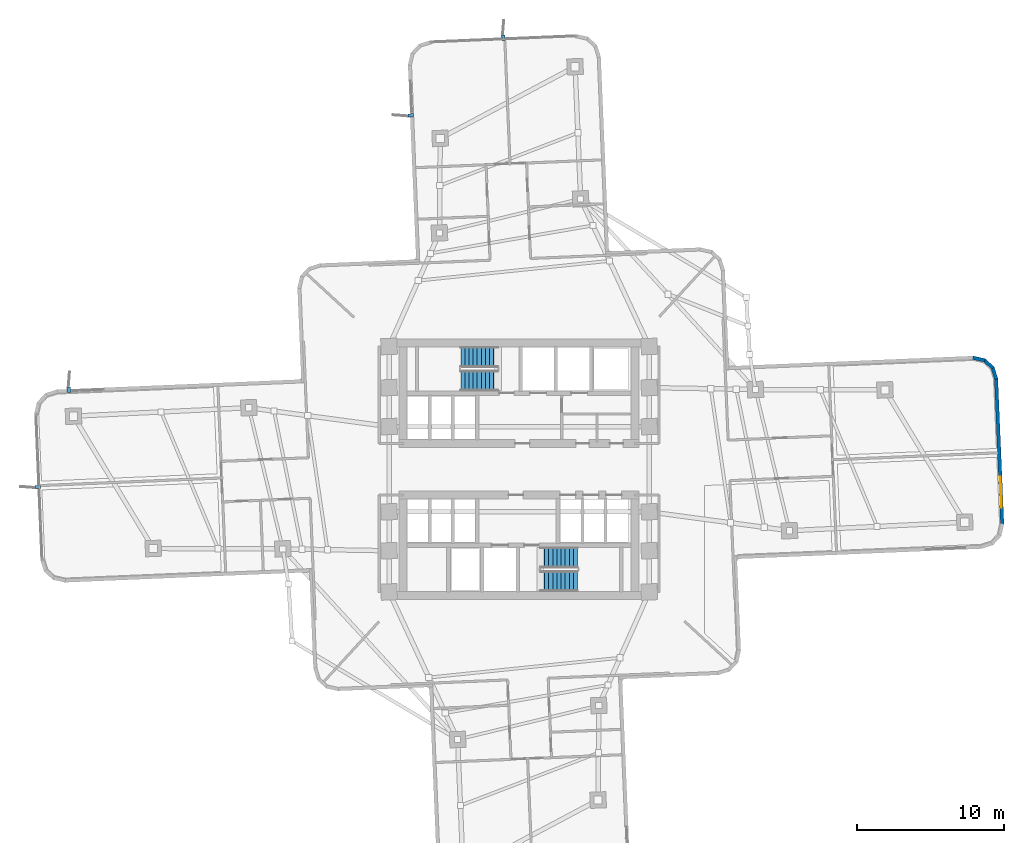
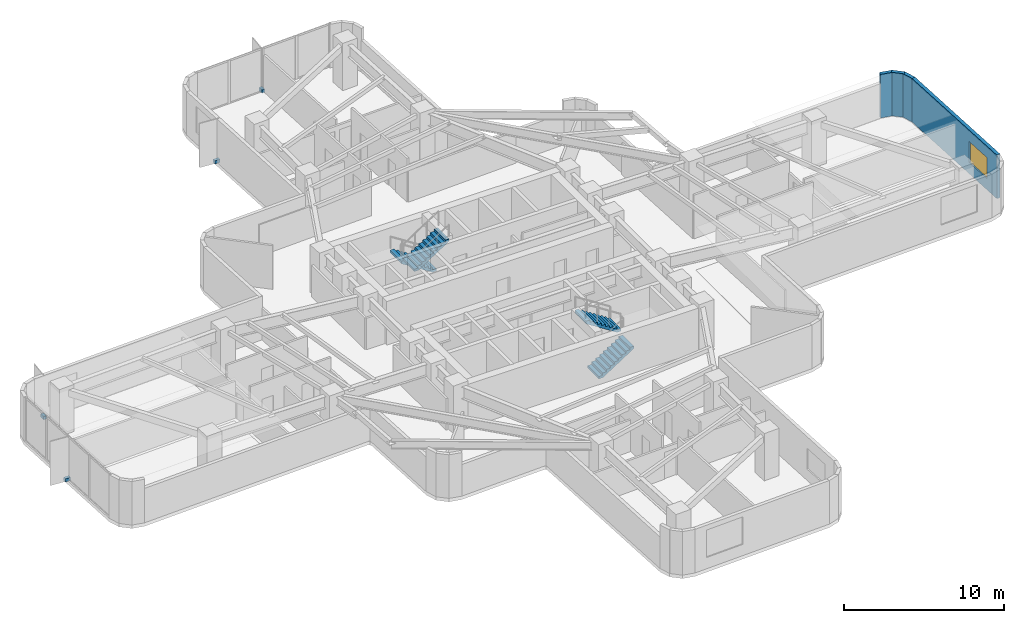
# One storey, part 11 of 15: 4 discrete accessories, 4 stair flights, 4 walls, 1 window, 1 opening, 2 elements without a shape of their own.
"""IFC4 building model written with IfcOpenShell, lengths in metres."""

from ifc_helpers import new_model, si_unit, direction, frame, frame_2d, origin, origin_2d, place, context, subcontext, project, spatial, polyline, rectangle, outline, extrude, material, layer, layer_set, type_object, element, fill, aggregate, save


model = new_model("IFC4")

# Units and contexts
model_context = context("Model", 3, precision=1e-05, world=origin(), true_north=direction((0.0, 1.0)))
body_context = subcontext(model_context, "Body", "Model", "MODEL_VIEW")
ifc_project = project(units=[si_unit("LENGTHUNIT", "METRE"), si_unit("AREAUNIT", "SQUARE_METRE"), si_unit("VOLUMEUNIT", "CUBIC_METRE"), si_unit("PLANEANGLEUNIT", "RADIAN"), si_unit("MASSUNIT", "GRAM", prefix="KILO")], contexts=[model_context])

# Site, building, storey
site_placement = place(None, origin())
site = spatial("IfcSite", under=ifc_project, at=site_placement, CompositionType="ELEMENT")
building_placement = place(site_placement, origin())
building = spatial("IfcBuilding", under=site, at=building_placement, Name="Solmarez Civic Tower", CompositionType="ELEMENT")
storey_placement = place(building_placement, frame((0.0, 0.0, 46.080078125)))
storey = spatial("IfcBuildingStorey", under=building, at=storey_placement, Name="L11", CompositionType="ELEMENT", Elevation=46.080078125)

# Walls
ifc_material_1 = material(Name="Precast concrete C40/50", Category="concrete")
ifc_layer = layer(ifc_material_1, 0.239990234375)
ifc_layer_set = layer_set([ifc_layer], Name="Precast concrete C40/50")
wall_type = type_object("IfcWallType", Name="WALL-EXT-240", PredefinedType="SOLIDWALL", material=ifc_layer_set)
wall_1_placement = place(storey_placement, frame((30.8701171875, 7.5849609375, 0.0), z_axis=(0.0, 0.0, 1.0), x_axis=(0.976138507006, -0.217148831773, 0.0)))
element("IfcWall", 1, at=wall_1_placement, inside=storey, type_object=wall_type, Name="L11 Exterior Precast Wall 39", PredefinedType="SOLIDWALL", context=body_context, shape_type="SweptSolid", body=[
    extrude(rectangle(XDim=0.82861328125, YDim=0.239990234375, at=frame_2d((0.414306640625, 0.0))), origin(), (0.0, 0.0, 1.0), 3.31982421875),
])
wall_2_placement = place(storey_placement, frame((31.636962890625, 7.427001953125, 0.0), z_axis=(0.0, 0.0, 1.0), x_axis=(0.73603262681, -0.676946063044, 0.0)))
element("IfcWall", 2, at=wall_2_placement, inside=storey, type_object=wall_type, Name="L11 Exterior Precast Wall 40", PredefinedType="SOLIDWALL", context=body_context, shape_type="SweptSolid", body=[
    extrude(rectangle(XDim=0.81396484375, YDim=0.239990234375, at=frame_2d((0.406982421875, 0.0))), origin(), (0.0, 0.0, 1.0), 3.31982421875),
])
wall_3_placement = place(storey_placement, frame((32.2109375, 6.9169921875, 0.0), z_axis=(0.0, 0.0, 1.0), x_axis=(0.297805793488, -0.954626476359, 0.0)))
element("IfcWall", 3, at=wall_3_placement, inside=storey, type_object=wall_type, Name="L11 Exterior Precast Wall 41", PredefinedType="SOLIDWALL", context=body_context, shape_type="SweptSolid", body=[
    extrude(rectangle(XDim=0.82958984375, YDim=0.239990234375, at=frame_2d((0.414794921875, 0.0))), origin(), (0.0, 0.0, 1.0), 3.31982421875),
])

# Wall, opening, window
wall_4_placement = place(storey_placement, frame((32.449951171875, 6.174072265625, 0.0), z_axis=(0.0, 0.0, 1.0), x_axis=(0.041857368543, -0.999123596308, 0.0)))
wall_4 = element("IfcWall", 4, at=wall_4_placement, inside=storey, type_object=wall_type, Name="L11 Exterior Precast Wall 42", PredefinedType="SOLIDWALL", context=body_context, shape_type="SweptSolid", body=[
    extrude(rectangle(XDim=9.93896484375, YDim=0.239990234375, at=frame_2d((4.969482421875, 0.0))), origin(), (0.0, 0.0, 1.0), 3.31982421875),
])
opening_placement = place(wall_4_placement, frame((6.701904296875, 0.0, 0.85009765625)))
opening = element("IfcOpeningElement", 5, at=opening_placement, cuts=wall_4, Name="Opening W-11", PredefinedType="OPENING", context=body_context, shape_type="SweptSolid", body=[
    extrude(rectangle(XDim=2.10009765625, YDim=1.60009765625, at=frame_2d((1.050048828125, 0.800048828125))), frame((0.0, 0.1298828125, 0.0), z_axis=(0.0, -1.0, 0.0), x_axis=(1.0, 0.0, 0.0)), (0.0, 0.0, 1.0), 0.260009765625),
])
ifc_material_2 = material(Name="Solar Control Bronze-Tinted Insulating Glass", Category="glass")
window_type = type_object("IfcWindowType", Name="WIN-2100X1600", PartitioningType="SINGLE_PANEL", PredefinedType="WINDOW", material=ifc_material_2)
window_placement = place(opening_placement, origin())
window = element("IfcWindow", 6, at=window_placement, inside=storey, type_object=window_type, Name="L11 Exterior Facade Window 42", OverallHeight=1.60009765625, OverallWidth=2.10009765625, PartitioningType="SINGLE_PANEL", PredefinedType="WINDOW", context=body_context, shape_type="SweptSolid", body=[
    extrude(rectangle(XDim=2.10009765625, YDim=1.60009765625, at=frame_2d((1.050048828125, 0.800048828125))), frame((0.0, 0.030029296875, 0.0), z_axis=(0.0, -1.0, 0.0), x_axis=(1.0, 0.0, 0.0)), (0.0, 0.0, 1.0), 0.06005859375),
])
fill(opening, window)

# Stair, stair flights
ifc_material_3 = material(Name="Concrete C50/60", Category="concrete")
stair_type = type_object("IfcStairType", Name="STAIR-DOGLEG-140W-20R-1800", PredefinedType="HALF_TURN_STAIR", material=ifc_material_3)
stair_1_placement = place(storey_placement, origin())
stair_1 = element("IfcStair", 7, at=stair_1_placement, inside=storey, type_object=stair_type, Name="L11 North Core Protected Exit Stair ST-1", PredefinedType="HALF_TURN_STAIR")
stair_flight_type = type_object("IfcStairFlightType", Name="FLIGHT-DOGLEG-140W-10R-1800", PredefinedType="STRAIGHT", material=ifc_material_3)
stair_flight_1_placement = place(storey_placement, frame((-1.449951171875, 7.6201171875, 0.0), z_axis=(0.0, 0.0, 1.0), x_axis=(-1.0, 0.0, 0.0)))
stair_flight_1 = element("IfcStairFlight", 8, at=stair_flight_1_placement, type_object=stair_flight_type, Name="ST-1 flight 1", NumberOfRisers=10, NumberOfTreads=9, PredefinedType="STRAIGHT", RiserHeight=0.18, TreadLength=0.28, context=body_context, shape_type="SweptSolid", body=[
    extrude(outline(polyline([(0.0, 0.0), (0.0, 0.179931640625), (0.280029296875, 0.179931640625), (0.280029296875, 0.360107421875), (0.56005859375, 0.360107421875), (0.56005859375, 0.5400390625), (0.840087890625, 0.5400390625), (0.840087890625, 0.719970703125), (1.1201171875, 0.719970703125), (1.1201171875, 0.89990234375), (1.39990234375, 0.89990234375), (1.39990234375, 1.080078125), (1.679931640625, 1.080078125), (1.679931640625, 1.260009765625), (1.9599609375, 1.260009765625), (1.9599609375, 1.43994140625), (2.239990234375, 1.43994140625), (2.239990234375, 1.6201171875), (2.52001953125, 1.6201171875), (2.52001953125, 1.800048828125), (2.52001953125, 1.429931640625), (0.295654296875, 0.0), (0.0, 0.0)])), frame((0.0, 0.699951171875, 0.0), z_axis=(0.0, -1.0, 0.0), x_axis=(1.0, 0.0, 0.0)), (0.0, 0.0, 1.0), 1.39990234375),
])
stair_flight_2_placement = place(storey_placement, frame((-3.969970703125, 6.02001953125, 1.7998046875), z_axis=(0.0, 0.0, 1.0), x_axis=(1.0, 0.0, 0.0)))
stair_flight_2 = element("IfcStairFlight", 9, at=stair_flight_2_placement, type_object=stair_flight_type, Name="ST-1 flight 2", NumberOfRisers=10, NumberOfTreads=9, PredefinedType="STRAIGHT", RiserHeight=0.18, TreadLength=0.28, context=body_context, shape_type="SweptSolid", body=[
    extrude(outline(polyline([(0.0, 0.0), (0.0, 0.179931640625), (0.280029296875, 0.179931640625), (0.280029296875, 0.360107421875), (0.56005859375, 0.360107421875), (0.56005859375, 0.5400390625), (0.840087890625, 0.5400390625), (0.840087890625, 0.719970703125), (1.1201171875, 0.719970703125), (1.1201171875, 0.89990234375), (1.39990234375, 0.89990234375), (1.39990234375, 1.080078125), (1.679931640625, 1.080078125), (1.679931640625, 1.260009765625), (1.9599609375, 1.260009765625), (1.9599609375, 1.43994140625), (2.239990234375, 1.43994140625), (2.239990234375, 1.6201171875), (2.52001953125, 1.6201171875), (2.52001953125, 1.800048828125), (2.52001953125, 1.429931640625), (0.295654296875, 0.0), (0.0, 0.0)])), frame((0.0, 0.699951171875, 0.0), z_axis=(0.0, -1.0, 0.0), x_axis=(1.0, 0.0, 0.0)), (0.0, 0.0, 1.0), 1.39990234375),
])
aggregate(stair_1, [stair_flight_1, stair_flight_2])

stair_2_placement = place(storey_placement, origin())
stair_2 = element("IfcStair", 10, at=stair_2_placement, inside=storey, type_object=stair_type, Name="L11 South Core Protected Exit Stair ST-2", PredefinedType="HALF_TURN_STAIR")
stair_flight_3_placement = place(storey_placement, frame((1.449951171875, -7.6201171875, 0.0), z_axis=(0.0, 0.0, 1.0), x_axis=(1.0, 0.0, 0.0)))
stair_flight_3 = element("IfcStairFlight", 11, at=stair_flight_3_placement, type_object=stair_flight_type, Name="ST-2 flight 1", NumberOfRisers=10, NumberOfTreads=9, PredefinedType="STRAIGHT", RiserHeight=0.18, TreadLength=0.28, context=body_context, shape_type="SweptSolid", body=[
    extrude(outline(polyline([(0.0, 0.0), (0.0, 0.179931640625), (0.280029296875, 0.179931640625), (0.280029296875, 0.360107421875), (0.56005859375, 0.360107421875), (0.56005859375, 0.5400390625), (0.840087890625, 0.5400390625), (0.840087890625, 0.719970703125), (1.1201171875, 0.719970703125), (1.1201171875, 0.89990234375), (1.39990234375, 0.89990234375), (1.39990234375, 1.080078125), (1.679931640625, 1.080078125), (1.679931640625, 1.260009765625), (1.9599609375, 1.260009765625), (1.9599609375, 1.43994140625), (2.239990234375, 1.43994140625), (2.239990234375, 1.6201171875), (2.52001953125, 1.6201171875), (2.52001953125, 1.800048828125), (2.52001953125, 1.429931640625), (0.295654296875, 0.0), (0.0, 0.0)])), frame((0.0, 0.699951171875, 0.0), z_axis=(0.0, -1.0, 0.0), x_axis=(1.0, 0.0, 0.0)), (0.0, 0.0, 1.0), 1.39990234375),
])
stair_flight_4_placement = place(storey_placement, frame((3.969970703125, -6.02001953125, 1.7998046875), z_axis=(0.0, 0.0, 1.0), x_axis=(-1.0, 0.0, 0.0)))
stair_flight_4 = element("IfcStairFlight", 12, at=stair_flight_4_placement, type_object=stair_flight_type, Name="ST-2 flight 2", NumberOfRisers=10, NumberOfTreads=9, PredefinedType="STRAIGHT", RiserHeight=0.18, TreadLength=0.28, context=body_context, shape_type="SweptSolid", body=[
    extrude(outline(polyline([(0.0, 0.0), (0.0, 0.179931640625), (0.280029296875, 0.179931640625), (0.280029296875, 0.360107421875), (0.56005859375, 0.360107421875), (0.56005859375, 0.5400390625), (0.840087890625, 0.5400390625), (0.840087890625, 0.719970703125), (1.1201171875, 0.719970703125), (1.1201171875, 0.89990234375), (1.39990234375, 0.89990234375), (1.39990234375, 1.080078125), (1.679931640625, 1.080078125), (1.679931640625, 1.260009765625), (1.9599609375, 1.260009765625), (1.9599609375, 1.43994140625), (2.239990234375, 1.43994140625), (2.239990234375, 1.6201171875), (2.52001953125, 1.6201171875), (2.52001953125, 1.800048828125), (2.52001953125, 1.429931640625), (0.295654296875, 0.0), (0.0, 0.0)])), frame((0.0, 0.699951171875, 0.0), z_axis=(0.0, -1.0, 0.0), x_axis=(1.0, 0.0, 0.0)), (0.0, 0.0, 1.0), 1.39990234375),
])
aggregate(stair_2, [stair_flight_3, stair_flight_4])

# Discrete accessories
ifc_material_4 = material(Name="Stainless Steel Grade 1.4401", Category="steel")
discrete_accessory_type = type_object("IfcDiscreteAccessoryType", Name="BRACKET-SS-FIN", PredefinedType="BRACKET", material=ifc_material_4)
for number, where, z_axis, x_axis, name in (
    (13, (-32.738037109375, -1.2119140625, -0.06005859375), (0.0, 0.0, 1.0), (-0.999123230687, -0.041866094888, 0.0), "L11 Stainless Fin Support Bracket FIN-L11-01"),
    (14, (-30.612060546875, 5.403076171875, -0.06005859375), (0.0, 0.0, 1.0), (-0.04190115755, 0.999121760846, 0.0), "L11 Stainless Fin Support Bracket FIN-L11-02"),
    (15, (-7.375, 24.072021484375, -0.06005859375), (0.0, 0.0, 1.0), (-0.999123573672, -0.041857908849, 0.0), "L11 Stainless Fin Support Bracket FIN-L11-03"),
    (16, (-1.069091796875, 29.341064453125, -0.06005859375), (0.0, 0.0, 1.0), (-0.041866094888, 0.999123230687, 0.0), "L11 Stainless Fin Support Bracket FIN-L11-04"),
):
    element("IfcDiscreteAccessory", number, at=place(storey_placement, frame(where, z_axis=z_axis, x_axis=x_axis)), inside=storey, type_object=discrete_accessory_type, Name=name, PredefinedType="BRACKET", context=body_context, shape_type="SweptSolid", body=[
        extrude(rectangle(XDim=0.360107421875, YDim=0.219970703125, at=origin_2d()), origin(), (0.0, 0.0, 1.0), 0.239990234375),
    ])

save(model, "model.ifc")
